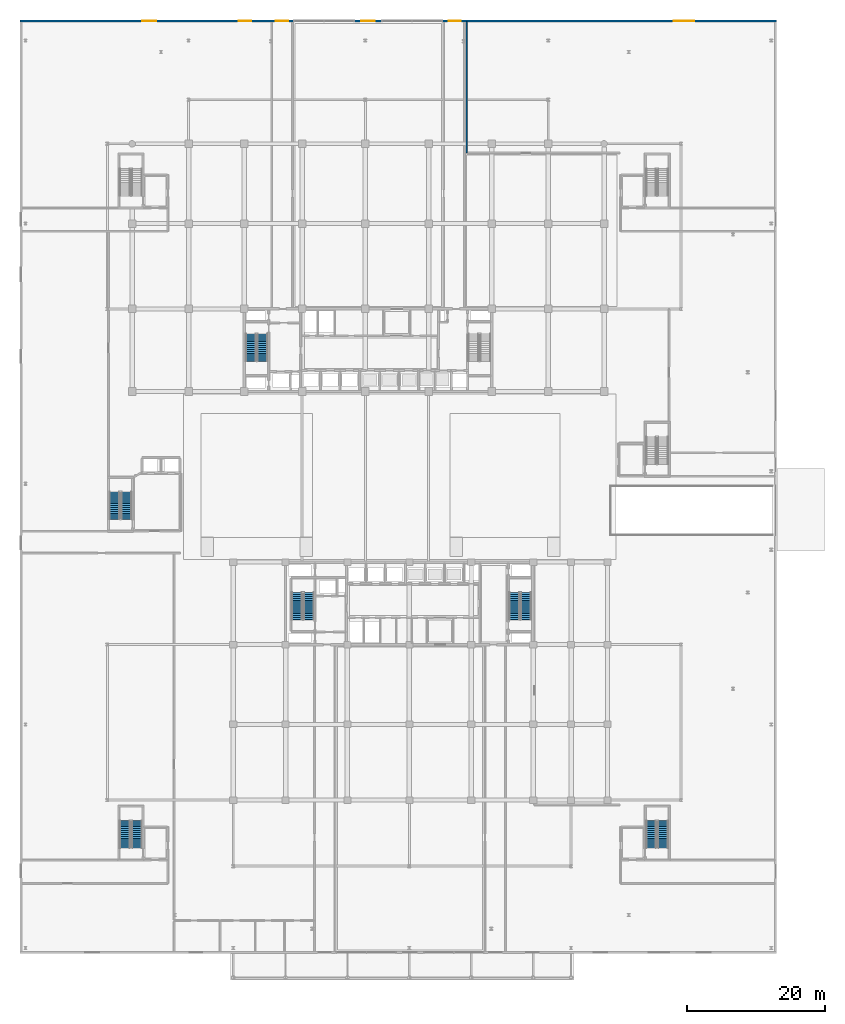
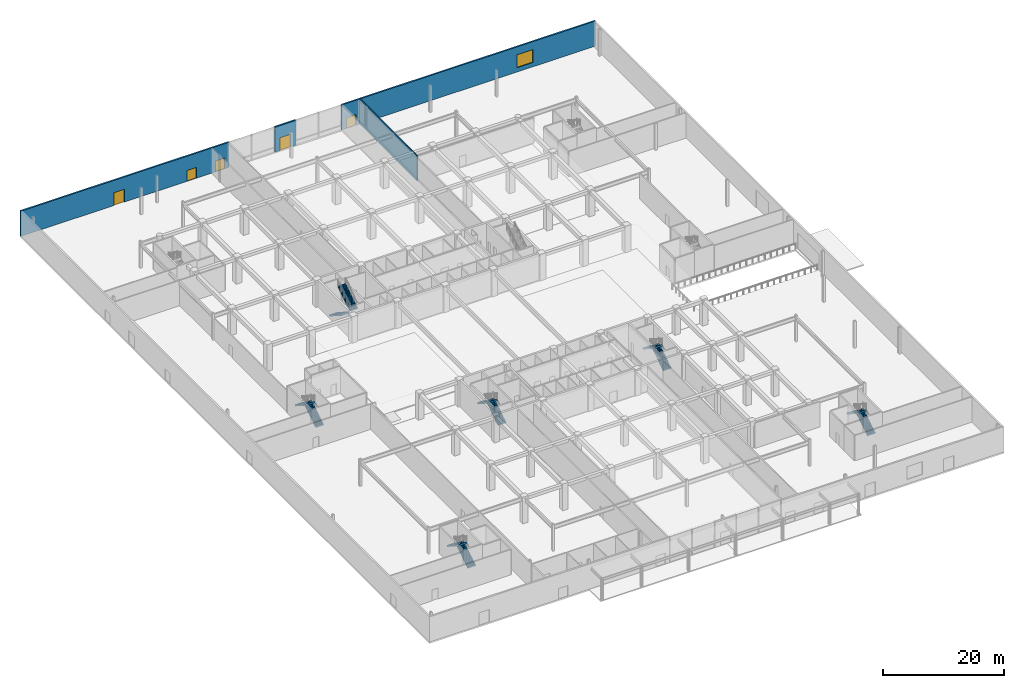
# One storey, part 31 of 46: 12 stair flights, 5 doors, 4 walls, 1 window, 6 openings, 6 elements without a shape of their own.
"""IFC4 building model written with IfcOpenShell, lengths in metres."""

import ifcopenshell
import ifcopenshell.guid

model = None  # the IFC model being written
_history = None  # IfcOwnerHistory: only IFC2X3 demands one
_inside = {}  # id of a spatial element -> (the spatial element, [elements in it])
_under = {}  # id of a project, library or spatial element -> (it, [spatial elements below it])
_declared = {}  # id of a project -> (the project, [libraries it declares])
_typed = {}  # id of a type object -> (the type object, [elements of that type])
_made_of = {}  # id of a material, layer set ... -> (it, [elements and type objects made of it])


def new_model(schema):
    """Start an empty IFC model of exactly this schema.

    Asked for "IFC4X3", IfcOpenShell would pick the latest addendum, in which some entities
    have other attributes; the version numbers below select the first issue.
    IFC2X3 requires an IfcOwnerHistory on every rooted entity: one is made here for all.
    """
    global model, _history
    if schema == "IFC4X3":
        model = ifcopenshell.file(schema_version=(4, 3, 0, 0))
    else:
        model = ifcopenshell.file(schema=schema)
    _inside.clear()
    _under.clear()
    _declared.clear()
    _typed.clear()
    _made_of.clear()
    _history = None
    if model.schema == "IFC2X3":
        org = make("IfcOrganization", Name="unknown")
        user = make(
            "IfcPersonAndOrganization",
            ThePerson=make("IfcPerson", FamilyName="unknown"),
            TheOrganization=org,
        )
        app = make(
            "IfcApplication",
            ApplicationDeveloper=org,
            Version="unknown",
            ApplicationFullName="unknown",
            ApplicationIdentifier="unknown",
        )
        _history = make(
            "IfcOwnerHistory",
            OwningUser=user,
            OwningApplication=app,
            ChangeAction="ADDED",
            CreationDate=0,
        )
    return model


def make(cls, **values):
    """One entity of the class cls with the attributes given. An attribute that is None is left unset."""
    return model.create_entity(
        cls, **{name: value for name, value in values.items() if value is not None}
    )


def rooted(cls, **values):
    """An entity with a GlobalId (a new one), such as an element, a storey or a relation."""
    return make(cls, GlobalId=ifcopenshell.guid.new(), OwnerHistory=_history, **values)


def si_unit(unit_type, name, prefix=None):
    """IfcSIUnit, for example si_unit("LENGTHUNIT", "METRE", prefix="MILLI")."""
    return make("IfcSIUnit", UnitType=unit_type, Prefix=prefix, Name=name)


def assignment(units):
    """IfcUnitAssignment: the units of a project."""
    return None if units is None else make("IfcUnitAssignment", Units=units)


def point(xyz):
    """IfcCartesianPoint."""
    return None if xyz is None else make("IfcCartesianPoint", Coordinates=xyz)


def direction(xyz):
    """IfcDirection."""
    return None if xyz is None else make("IfcDirection", DirectionRatios=xyz)


def frame(location, z_axis=None, x_axis=None):
    """IfcAxis2Placement3D, a coordinate frame: its origin and axes. An axis left out is left unset."""
    return make(
        "IfcAxis2Placement3D",
        Location=point(location),
        Axis=direction(z_axis),
        RefDirection=direction(x_axis),
    )


def frame_2d(location, x_axis=None):
    """IfcAxis2Placement2D, a coordinate frame in the plane: its origin and x axis."""
    return make(
        "IfcAxis2Placement2D", Location=point(location), RefDirection=direction(x_axis)
    )


def origin():
    """The frame at (0, 0, 0) with its axes left unset."""
    return frame((0.0, 0.0, 0.0))


def place(relative_to, where):
    """IfcLocalPlacement: puts the frame where relative to a parent placement (None: the world)."""
    return make(
        "IfcLocalPlacement", PlacementRelTo=relative_to, RelativePlacement=where
    )


def context(
    kind, dimensions, precision=None, world=None, true_north=None, identifier=None
):
    """IfcGeometricRepresentationContext, for example the 3D "Model" context."""
    return make(
        "IfcGeometricRepresentationContext",
        ContextIdentifier=identifier,
        ContextType=kind,
        CoordinateSpaceDimension=dimensions,
        Precision=precision,
        WorldCoordinateSystem=world,
        TrueNorth=true_north,
    )


def subcontext(parent, identifier, kind, view, scale=None):
    """IfcGeometricRepresentationSubContext, for example "Body" below "Model"."""
    return make(
        "IfcGeometricRepresentationSubContext",
        ContextIdentifier=identifier,
        ContextType=kind,
        ParentContext=parent,
        TargetScale=scale,
        TargetView=view,
    )


def project(units=None, contexts=None):
    """IfcProject with its units and contexts."""
    return rooted(
        "IfcProject",
        Name="project",
        RepresentationContexts=contexts,
        UnitsInContext=assignment(units),
    )


def spatial(cls, under=None, at=None, **own):
    """A site, building, storey or space (cls), placed at a placement, below another one or the project."""
    s = rooted(cls, ObjectPlacement=at, **own)
    if under is not None:
        _under.setdefault(under.id(), (under, []))[1].append(s)
    return s


def polyline(points):
    """IfcPolyline through the points."""
    return make("IfcPolyline", Points=[point(p) for p in points])


def profile(cls, at=None, kind="AREA", **sizes):
    """A parametric profile (cls). Its sizes go by their IFC names, for example OverallWidth=200.0."""
    return make(cls, ProfileType=kind, Position=at, **sizes)


def rectangle(**sizes):
    """IfcRectangleProfileDef."""
    return profile("IfcRectangleProfileDef", **sizes)


def outline(outer, holes=None, kind="AREA"):
    """IfcArbitraryClosedProfileDef: a profile drawn as a closed curve; with holes, ...WithVoids."""
    if holes is None:
        return make("IfcArbitraryClosedProfileDef", ProfileType=kind, OuterCurve=outer)
    return make(
        "IfcArbitraryProfileDefWithVoids",
        ProfileType=kind,
        OuterCurve=outer,
        InnerCurves=holes,
    )


def extrude(swept, where, along, depth):
    """IfcExtrudedAreaSolid: the profile swept, set in the frame where, extruded along a direction by depth."""
    return make(
        "IfcExtrudedAreaSolid",
        SweptArea=swept,
        Position=where,
        ExtrudedDirection=direction(along),
        Depth=depth,
    )


def shape(context_of_items, identifier, shape_type, items):
    """IfcShapeRepresentation: the items that make up one representation, for example the "Body"."""
    return make(
        "IfcShapeRepresentation",
        ContextOfItems=context_of_items,
        RepresentationIdentifier=identifier,
        RepresentationType=shape_type,
        Items=items,
    )


def material(Name=None, Category=None):
    """IfcMaterial."""
    return make("IfcMaterial", Name=Name, Category=Category)


def layer(
    of_material, thickness, ventilated=None, Name=None, Category=None, Priority=None
):
    """IfcMaterialLayer: one layer of a wall or slab, of a material (None: an air gap)."""
    return make(
        "IfcMaterialLayer",
        Material=of_material,
        LayerThickness=thickness,
        IsVentilated=ventilated,
        Name=Name,
        Category=Category,
        Priority=Priority,
    )


def layer_set(layers, Name=None):
    """IfcMaterialLayerSet."""
    return make("IfcMaterialLayerSet", MaterialLayers=layers, LayerSetName=Name)


def made_of(thing, what):
    """Note that an element or type object is made of a material, layer set ...; save() writes the relation."""
    if what is not None:
        _made_of.setdefault(what.id(), (what, []))[1].append(thing)
    return thing


def type_object(cls, material=None, **own):
    """A type object (cls), such as IfcWallType, which elements share."""
    return made_of(rooted(cls, **own), material)


def element(
    cls,
    number,
    at=None,
    inside=None,
    cuts=None,
    type_object=None,
    material=None,
    context=None,
    identifier="Body",
    shape_type=None,
    held_by="IfcProductDefinitionShape",
    body=None,
    shapes=None,
    **own,
):
    """One element of the class cls, such as IfcWall. Its Tag is "e" and its number.

    at: its placement. inside: the storey or other place that contains it. cuts: it is an
    opening in that element (IfcRelVoidsElement). A single representation is given by context,
    identifier, shape_type and body (its items); several are given by shapes. held_by: the class
    of the entity that holds the representations. save() writes the other relations.
    """
    e = rooted(cls, Tag="e%d" % number, ObjectPlacement=at, **own)
    if body is not None:
        shapes = [shape(context, identifier, shape_type, body)]
    if shapes is not None:
        e.Representation = make(held_by, Representations=shapes)
    if inside is not None:
        _inside.setdefault(inside.id(), (inside, []))[1].append(e)
    if cuts is not None:
        rooted(
            "IfcRelVoidsElement", RelatingBuildingElement=cuts, RelatedOpeningElement=e
        )
    if type_object is not None:
        _typed.setdefault(type_object.id(), (type_object, []))[1].append(e)
    return made_of(e, material)


def fill(opening, filler):
    """IfcRelFillsElement: the door or window that sits in an opening."""
    return rooted(
        "IfcRelFillsElement",
        RelatingOpeningElement=opening,
        RelatedBuildingElement=filler,
    )


def aggregate(whole, parts):
    """IfcRelAggregates: a whole, such as a stair, and the parts it consists of."""
    return rooted("IfcRelAggregates", RelatingObject=whole, RelatedObjects=parts)


def save(model, path):
    """Write the relations noted so far, then the file.

    IfcRelAggregates (storeys below a building ...), IfcRelContainedInSpatialStructure (elements
    in a storey), IfcRelDefinesByType, IfcRelAssociatesMaterial and IfcRelDeclares: one each for
    every whole, place, type object, material and project.
    """
    for whole, parts in _under.values():
        aggregate(whole, parts)
    for where, things in _inside.values():
        rooted(
            "IfcRelContainedInSpatialStructure",
            RelatedElements=things,
            RelatingStructure=where,
        )
    for kind, things in _typed.values():
        rooted("IfcRelDefinesByType", RelatedObjects=things, RelatingType=kind)
    for what, things in _made_of.values():
        rooted("IfcRelAssociatesMaterial", RelatedObjects=things, RelatingMaterial=what)
    for by, libraries in _declared.values():
        rooted("IfcRelDeclares", RelatingContext=by, RelatedDefinitions=libraries)
    model.write(path)


model = new_model("IFC4")

# Units and contexts
model_context = context("Model", 3, precision=1e-05, world=origin(), true_north=direction((0.0, 1.0)))
body_context = subcontext(model_context, "Body", "Model", "MODEL_VIEW")
ifc_project = project(units=[si_unit("LENGTHUNIT", "METRE"), si_unit("AREAUNIT", "SQUARE_METRE"), si_unit("VOLUMEUNIT", "CUBIC_METRE"), si_unit("PLANEANGLEUNIT", "RADIAN"), si_unit("MASSUNIT", "GRAM", prefix="KILO")], contexts=[model_context])

# Site, building, storey
site_placement = place(None, origin())
site = spatial("IfcSite", under=ifc_project, at=site_placement, CompositionType="ELEMENT")
building_placement = place(site_placement, origin())
building = spatial("IfcBuilding", under=site, at=building_placement, Name="Korimba Cascade Residences", CompositionType="ELEMENT")
storey_placement = place(building_placement, origin())
storey = spatial("IfcBuildingStorey", under=building, at=storey_placement, Name="L00", CompositionType="ELEMENT", Elevation=0.0)

# Wall, openings, door, window
ifc_material_1 = material(Name="Precast concrete C40/50", Category="concrete")
ifc_layer_1 = layer(ifc_material_1, 0.300048828125)
ifc_layer_set_1 = layer_set([ifc_layer_1], Name="Precast concrete C40/50")
wall_type_1 = type_object("IfcWallType", Name="EW-STONE-300", PredefinedType="STANDARD", material=ifc_layer_set_1)
wall_1_placement = place(storey_placement, frame((153.5, 109.050048828125, 0.0), z_axis=(0.0, 0.0, 1.0), x_axis=(-1.0, 0.0, 0.0)))
wall_1 = element("IfcWall", 1, at=wall_1_placement, inside=storey, type_object=wall_type_1, Name="L00 North-East Stone Podium Wall", PredefinedType="STANDARD", context=body_context, shape_type="SweptSolid", body=[
    extrude(rectangle(XDim=48.60009765625, YDim=0.300048828125, at=frame_2d((24.300048828125, 0.0))), origin(), (0.0, 0.0, 1.0), 5.10009765625),
])
opening_1_placement = place(wall_1_placement, frame((45.89990234375, 0.0, 0.0)))
opening_1 = element("IfcOpeningElement", 2, at=opening_1_placement, cuts=wall_1, Name="Opening D-EX2", PredefinedType="OPENING", context=body_context, shape_type="SweptSolid", body=[
    extrude(rectangle(XDim=1.800048828125, YDim=2.199951171875, at=frame_2d((0.89990234375, 1.10009765625))), frame((0.0, 0.16015625, 0.0), z_axis=(0.0, -1.0, 0.0), x_axis=(1.0, 0.0, 0.0)), (0.0, 0.0, 1.0), 0.320068359375),
])
opening_2_placement = place(wall_1_placement, frame((12.0, 0.0, 0.89990234375)))
opening_2 = element("IfcOpeningElement", 3, at=opening_2_placement, cuts=wall_1, Name="Opening W-04", PredefinedType="OPENING", context=body_context, shape_type="SweptSolid", body=[
    extrude(rectangle(XDim=3.0, YDim=2.60009765625, at=frame_2d((1.5, 1.300048828125))), frame((0.0, 0.16015625, 0.0), z_axis=(0.0, -1.0, 0.0), x_axis=(1.0, 0.0, 0.0)), (0.0, 0.0, 1.0), 0.320068359375),
])
ifc_material_2 = material(Name="Galvanised Steel Fire Exit Door", Category="steel")
door_type_1 = type_object("IfcDoorType", Name="DR-EXT-EXIT", OperationType="NOTDEFINED", PredefinedType="DOOR", material=ifc_material_2)
door_1_placement = place(opening_1_placement, frame((1.800048828125, 0.0, 0.0), z_axis=(0.0, 0.0, 1.0), x_axis=(-1.0, 0.0, 0.0)))
door_1 = element("IfcDoor", 4, at=door_1_placement, inside=storey, type_object=door_type_1, Name="L00 Street Fire Exit Door EX-04", OperationType="DOUBLE_DOOR_SINGLE_SWING", OverallHeight=2.199951171875, OverallWidth=1.800048828125, PredefinedType="DOOR", context=body_context, shape_type="SweptSolid", body=[
    extrude(rectangle(XDim=1.800048828125, YDim=2.199951171875, at=frame_2d((0.89990234375, 1.10009765625))), frame((0.0, 0.02490234375, 0.0), z_axis=(0.0, -1.0, 0.0), x_axis=(1.0, 0.0, 0.0)), (0.0, 0.0, 1.0), 0.050048828125),
])
fill(opening_1, door_1)
ifc_material_3 = material(Name="Double-Glazed Aluminium Window", Category="aluminium")
window_type = type_object("IfcWindowType", Name="WIN-POD-3000", PartitioningType="TRIPLE_PANEL_VERTICAL", PredefinedType="WINDOW", material=ifc_material_3)
window_placement = place(opening_2_placement, origin())
window = element("IfcWindow", 5, at=window_placement, inside=storey, type_object=window_type, Name="L00 Gallery Window", OverallHeight=2.60009765625, OverallWidth=3.0, PartitioningType="TRIPLE_PANEL_VERTICAL", PredefinedType="WINDOW", context=body_context, shape_type="SweptSolid", body=[
    extrude(rectangle(XDim=3.0, YDim=2.60009765625, at=frame_2d((1.5, 1.300048828125))), frame((0.0, 0.030029296875, 0.0), z_axis=(0.0, -1.0, 0.0), x_axis=(1.0, 0.0, 0.0)), (0.0, 0.0, 1.0), 0.06005859375),
])
fill(opening_2, window)

# Wall, opening, door
wall_2_placement = place(storey_placement, frame((96.10009765625, 109.050048828125, 0.0), z_axis=(0.0, 0.0, 1.0), x_axis=(-1.0, 0.0, 0.0)))
wall_2 = element("IfcWall", 6, at=wall_2_placement, inside=storey, type_object=wall_type_1, Name="L00 North Portal Entrance Wall", PredefinedType="STANDARD", context=body_context, shape_type="SweptSolid", body=[
    extrude(rectangle(XDim=4.0, YDim=0.300048828125, at=frame_2d((2.0, 0.0))), origin(), (0.0, 0.0, 1.0), 5.10009765625),
])
opening_3_placement = place(wall_2_placement, frame((1.0, 0.0, 0.0)))
opening_3 = element("IfcOpeningElement", 7, at=opening_3_placement, cuts=wall_2, Name="Opening D-EX1", PredefinedType="OPENING", context=body_context, shape_type="SweptSolid", body=[
    extrude(rectangle(XDim=2.0, YDim=2.60009765625, at=frame_2d((1.0, 1.300048828125))), frame((0.0, 0.16015625, 0.0), z_axis=(0.0, -1.0, 0.0), x_axis=(1.0, 0.0, 0.0)), (0.0, 0.0, 1.0), 0.320068359375),
])
ifc_material_4 = material(Name="Double-Glazed Entrance Doors", Category="glass")
door_type_2 = type_object("IfcDoorType", Name="DR-EXT-ENT", OperationType="NOTDEFINED", PredefinedType="DOOR", material=ifc_material_4)
door_2_placement = place(opening_3_placement, frame((2.0, 0.0, 0.0), z_axis=(0.0, 0.0, 1.0), x_axis=(-1.0, 0.0, 0.0)))
door_2 = element("IfcDoor", 8, at=door_2_placement, inside=storey, type_object=door_type_2, Name="L00 Main North Riverfront Entrance Door", OperationType="DOUBLE_DOOR_SINGLE_SWING", OverallHeight=2.60009765625, OverallWidth=2.0, PredefinedType="DOOR", context=body_context, shape_type="SweptSolid", body=[
    extrude(rectangle(XDim=2.0, YDim=2.60009765625, at=frame_2d((1.0, 1.300048828125))), frame((0.0, 0.02490234375, 0.0), z_axis=(0.0, -1.0, 0.0), x_axis=(1.0, 0.0, 0.0)), (0.0, 0.0, 1.0), 0.050048828125),
])
fill(opening_3, door_2)

# Wall, openings, doors
wall_3_placement = place(storey_placement, frame((83.300048828125, 109.050048828125, 0.0), z_axis=(0.0, 0.0, 1.0), x_axis=(-1.0, 0.0, 0.0)))
wall_3 = element("IfcWall", 9, at=wall_3_placement, inside=storey, type_object=wall_type_1, Name="L00 North-West Stone Podium Wall", PredefinedType="STANDARD", context=body_context, shape_type="SweptSolid", body=[
    extrude(rectangle(XDim=39.800048828125, YDim=0.300048828125, at=frame_2d((19.89990234375, 0.0))), origin(), (0.0, 0.0, 1.0), 5.10009765625),
])
opening_4_placement = place(wall_3_placement, frame((0.800048828125, 0.0, 0.0)))
opening_4 = element("IfcOpeningElement", 10, at=opening_4_placement, cuts=wall_3, Name="Opening D-EX2", PredefinedType="OPENING", context=body_context, shape_type="SweptSolid", body=[
    extrude(rectangle(XDim=1.800048828125, YDim=2.199951171875, at=frame_2d((0.89990234375, 1.10009765625))), frame((0.0, 0.16015625, 0.0), z_axis=(0.0, -1.0, 0.0), x_axis=(1.0, 0.0, 0.0)), (0.0, 0.0, 1.0), 0.320068359375),
])
opening_5_placement = place(wall_3_placement, frame((6.199951171875, 0.0, 0.0)))
opening_5 = element("IfcOpeningElement", 11, at=opening_5_placement, cuts=wall_3, Name="Opening D-EX2", PredefinedType="OPENING", context=body_context, shape_type="SweptSolid", body=[
    extrude(rectangle(XDim=1.800048828125, YDim=2.199951171875, at=frame_2d((0.89990234375, 1.10009765625))), frame((0.0, 0.16015625, 0.0), z_axis=(0.0, -1.0, 0.0), x_axis=(1.0, 0.0, 0.0)), (0.0, 0.0, 1.0), 0.320068359375),
])
opening_6_placement = place(wall_3_placement, frame((20.0, 0.0, 0.0)))
opening_6 = element("IfcOpeningElement", 12, at=opening_6_placement, cuts=wall_3, Name="Opening D-EX1", PredefinedType="OPENING", context=body_context, shape_type="SweptSolid", body=[
    extrude(rectangle(XDim=2.0, YDim=2.60009765625, at=frame_2d((1.0, 1.300048828125))), frame((0.0, 0.16015625, 0.0), z_axis=(0.0, -1.0, 0.0), x_axis=(1.0, 0.0, 0.0)), (0.0, 0.0, 1.0), 0.320068359375),
])
door_3_placement = place(opening_6_placement, frame((2.0, 0.0, 0.0), z_axis=(0.0, 0.0, 1.0), x_axis=(-1.0, 0.0, 0.0)))
door_3 = element("IfcDoor", 13, at=door_3_placement, inside=storey, type_object=door_type_2, Name="L00 North-West Riverfront Entrance Door", OperationType="DOUBLE_DOOR_SINGLE_SWING", OverallHeight=2.60009765625, OverallWidth=2.0, PredefinedType="DOOR", context=body_context, shape_type="SweptSolid", body=[
    extrude(rectangle(XDim=2.0, YDim=2.60009765625, at=frame_2d((1.0, 1.300048828125))), frame((0.0, 0.02490234375, 0.0), z_axis=(0.0, -1.0, 0.0), x_axis=(1.0, 0.0, 0.0)), (0.0, 0.0, 1.0), 0.050048828125),
])
fill(opening_6, door_3)
door_4_placement = place(opening_4_placement, frame((1.800048828125, 0.0, 0.0), z_axis=(0.0, 0.0, 1.0), x_axis=(-1.0, 0.0, 0.0)))
door_4 = element("IfcDoor", 14, at=door_4_placement, inside=storey, type_object=door_type_1, Name="L00 Street Fire Exit Door EX-03", OperationType="DOUBLE_DOOR_SINGLE_SWING", OverallHeight=2.199951171875, OverallWidth=1.800048828125, PredefinedType="DOOR", context=body_context, shape_type="SweptSolid", body=[
    extrude(rectangle(XDim=1.800048828125, YDim=2.199951171875, at=frame_2d((0.89990234375, 1.10009765625))), frame((0.0, 0.02490234375, 0.0), z_axis=(0.0, -1.0, 0.0), x_axis=(1.0, 0.0, 0.0)), (0.0, 0.0, 1.0), 0.050048828125),
])
fill(opening_4, door_4)
door_5_placement = place(opening_5_placement, frame((1.800048828125, 0.0, 0.0), z_axis=(0.0, 0.0, 1.0), x_axis=(-1.0, 0.0, 0.0)))
door_5 = element("IfcDoor", 15, at=door_5_placement, inside=storey, type_object=door_type_1, Name="L00 Street Fire Exit Door EX-08", OperationType="DOUBLE_DOOR_SINGLE_SWING", OverallHeight=2.199951171875, OverallWidth=1.800048828125, PredefinedType="DOOR", context=body_context, shape_type="SweptSolid", body=[
    extrude(rectangle(XDim=1.800048828125, YDim=2.199951171875, at=frame_2d((0.89990234375, 1.10009765625))), frame((0.0, 0.02490234375, 0.0), z_axis=(0.0, -1.0, 0.0), x_axis=(1.0, 0.0, 0.0)), (0.0, 0.0, 1.0), 0.050048828125),
])
fill(opening_5, door_5)

# Wall
ifc_material_5 = material(Name="Concrete C40/50", Category="concrete")
ifc_layer_2 = layer(ifc_material_5, 0.199951171875)
ifc_layer_set_2 = layer_set([ifc_layer_2], Name="Concrete C40/50")
wall_type_2 = type_object("IfcWallType", Name="WAL-PART-200", PredefinedType="PARTITIONING", material=ifc_layer_set_2)
wall_4_placement = place(storey_placement, frame((108.449951171875, 89.8798828125, 0.0), z_axis=(0.0, 0.0, 1.0), x_axis=(0.0, 1.0, 0.0)))
element("IfcWall", 16, at=wall_4_placement, inside=storey, type_object=wall_type_2, Name="L00 Partition Wall WAL-L00-GALW", PredefinedType="PARTITIONING", context=body_context, shape_type="SweptSolid", body=[
    extrude(rectangle(XDim=19.070068359375, YDim=0.199951171875, at=frame_2d((9.53515625, 0.0))), origin(), (0.0, 0.0, 1.0), 5.10009765625),
])

# Stair, stair flights
ifc_material_6 = material(Name="Concrete C50/60", Category="concrete")
stair_type_1 = type_object("IfcStairType", Name="STR-W1-30R-1800", PredefinedType="HALF_TURN_STAIR", material=ifc_material_6)
stair_1_placement = place(storey_placement, origin())
stair_1 = element("IfcStair", 17, at=stair_1_placement, inside=storey, type_object=stair_type_1, Name="L00 Tower 1 West Fire Stair ST-W1", PredefinedType="HALF_TURN_STAIR")
stair_flight_type = type_object("IfcStairFlightType", Name="STF-DL-30R-1800-1520", PredefinedType="STRAIGHT", material=ifc_material_6)
stair_flight_1_placement = place(storey_placement, frame((77.06005859375, 63.550048828125, 0.0), z_axis=(0.0, 0.0, 1.0), x_axis=(0.0, -1.0, 0.0)))
stair_flight_1 = element("IfcStairFlight", 18, at=stair_flight_1_placement, type_object=stair_flight_type, Name="ST-W1 flight 1", NumberOfRisers=15, NumberOfTreads=14, PredefinedType="STRAIGHT", RiserHeight=0.18, TreadLength=0.28, context=body_context, shape_type="SweptSolid", body=[
    extrude(outline(polyline([(-0.0380859375, 0.0), (0.0, 0.179931640625), (0.280029296875, 0.179931640625), (0.280029296875, 0.360107421875), (0.56005859375, 0.360107421875), (0.56005859375, 0.5400390625), (0.840087890625, 0.5400390625), (0.840087890625, 0.719970703125), (1.1201171875, 0.719970703125), (1.1201171875, 0.89990234375), (1.39990234375, 0.89990234375), (1.39990234375, 1.080078125), (1.679931640625, 1.080078125), (1.679931640625, 1.260009765625), (1.9599609375, 1.260009765625), (1.9599609375, 1.43994140625), (2.239990234375, 1.43994140625), (2.239990234375, 1.6201171875), (2.52001953125, 1.6201171875), (2.52001953125, 1.800048828125), (2.800048828125, 1.800048828125), (2.800048828125, 1.97998046875), (3.080078125, 1.97998046875), (3.080078125, 2.159912109375), (3.360107421875, 2.159912109375), (3.360107421875, 2.340087890625), (3.639892578125, 2.340087890625), (3.639892578125, 2.52001953125), (3.919921875, 2.52001953125), (3.919921875, 2.699951171875), (3.9580078125, 2.699951171875), (3.9580078125, 2.341796875), (0.277099609375, 0.0), (0.277099609375, -0.0380859375), (-0.0380859375, -0.0380859375), (-0.0380859375, 0.0)])), frame((0.0, 0.760009765625, 0.0), z_axis=(0.0, -1.0, 0.0), x_axis=(1.0, 0.0, 0.0)), (0.0, 0.0, 1.0), 1.52001953125),
])
stair_flight_2_placement = place(storey_placement, frame((78.780029296875, 59.6298828125, 2.699951171875), z_axis=(0.0, 0.0, 1.0), x_axis=(0.0, 1.0, 0.0)))
stair_flight_2 = element("IfcStairFlight", 19, at=stair_flight_2_placement, type_object=stair_flight_type, Name="ST-W1 flight 2", NumberOfRisers=15, NumberOfTreads=14, PredefinedType="STRAIGHT", RiserHeight=0.18, TreadLength=0.28, context=body_context, shape_type="SweptSolid", body=[
    extrude(outline(polyline([(-0.0380859375, 0.0), (0.0, 0.179931640625), (0.280029296875, 0.179931640625), (0.280029296875, 0.360107421875), (0.56005859375, 0.360107421875), (0.56005859375, 0.5400390625), (0.840087890625, 0.5400390625), (0.840087890625, 0.719970703125), (1.1201171875, 0.719970703125), (1.1201171875, 0.89990234375), (1.39990234375, 0.89990234375), (1.39990234375, 1.080078125), (1.679931640625, 1.080078125), (1.679931640625, 1.260009765625), (1.9599609375, 1.260009765625), (1.9599609375, 1.43994140625), (2.239990234375, 1.43994140625), (2.239990234375, 1.6201171875), (2.52001953125, 1.6201171875), (2.52001953125, 1.800048828125), (2.800048828125, 1.800048828125), (2.800048828125, 1.97998046875), (3.080078125, 1.97998046875), (3.080078125, 2.159912109375), (3.360107421875, 2.159912109375), (3.360107421875, 2.340087890625), (3.639892578125, 2.340087890625), (3.639892578125, 2.52001953125), (3.919921875, 2.52001953125), (3.919921875, 2.699951171875), (3.9580078125, 2.699951171875), (3.9580078125, 2.341796875), (0.277099609375, 0.0), (0.277099609375, -0.0380859375), (-0.0380859375, -0.0380859375), (-0.0380859375, 0.0)])), frame((0.0, 0.760009765625, 0.0), z_axis=(0.0, -1.0, 0.0), x_axis=(1.0, 0.0, 0.0)), (0.0, 0.0, 1.0), 1.52001953125),
])
aggregate(stair_1, [stair_flight_1, stair_flight_2])

stair_type_2 = type_object("IfcStairType", Name="STR-E1-30R-1800", PredefinedType="HALF_TURN_STAIR", material=ifc_material_6)
stair_2_placement = place(storey_placement, origin())
stair_2 = element("IfcStair", 20, at=stair_2_placement, inside=storey, type_object=stair_type_2, Name="L00 Tower 2 West Fire Stair ST-E1", PredefinedType="HALF_TURN_STAIR")
stair_flight_3_placement = place(storey_placement, frame((85.47998046875, 22.050048828125, 0.0), z_axis=(0.0, 0.0, 1.0), x_axis=(0.0, 1.0, 0.0)))
stair_flight_3 = element("IfcStairFlight", 21, at=stair_flight_3_placement, type_object=stair_flight_type, Name="ST-E1 flight 1", NumberOfRisers=15, NumberOfTreads=14, PredefinedType="STRAIGHT", RiserHeight=0.18, TreadLength=0.28, context=body_context, shape_type="SweptSolid", body=[
    extrude(outline(polyline([(-0.0380859375, 0.0), (0.0, 0.179931640625), (0.280029296875, 0.179931640625), (0.280029296875, 0.360107421875), (0.56005859375, 0.360107421875), (0.56005859375, 0.5400390625), (0.840087890625, 0.5400390625), (0.840087890625, 0.719970703125), (1.1201171875, 0.719970703125), (1.1201171875, 0.89990234375), (1.39990234375, 0.89990234375), (1.39990234375, 1.080078125), (1.679931640625, 1.080078125), (1.679931640625, 1.260009765625), (1.9599609375, 1.260009765625), (1.9599609375, 1.43994140625), (2.239990234375, 1.43994140625), (2.239990234375, 1.6201171875), (2.52001953125, 1.6201171875), (2.52001953125, 1.800048828125), (2.800048828125, 1.800048828125), (2.800048828125, 1.97998046875), (3.080078125, 1.97998046875), (3.080078125, 2.159912109375), (3.360107421875, 2.159912109375), (3.360107421875, 2.340087890625), (3.639892578125, 2.340087890625), (3.639892578125, 2.52001953125), (3.919921875, 2.52001953125), (3.919921875, 2.699951171875), (3.9580078125, 2.699951171875), (3.9580078125, 2.341796875), (0.277099609375, 0.0), (0.277099609375, -0.0380859375), (-0.0380859375, -0.0380859375), (-0.0380859375, 0.0)])), frame((0.0, 0.760009765625, 0.0), z_axis=(0.0, -1.0, 0.0), x_axis=(1.0, 0.0, 0.0)), (0.0, 0.0, 1.0), 1.52001953125),
])
stair_flight_4_placement = place(storey_placement, frame((83.760009765625, 25.969970703125, 2.699951171875), z_axis=(0.0, 0.0, 1.0), x_axis=(0.0, -1.0, 0.0)))
stair_flight_4 = element("IfcStairFlight", 22, at=stair_flight_4_placement, type_object=stair_flight_type, Name="ST-E1 flight 2", NumberOfRisers=15, NumberOfTreads=14, PredefinedType="STRAIGHT", RiserHeight=0.18, TreadLength=0.28, context=body_context, shape_type="SweptSolid", body=[
    extrude(outline(polyline([(-0.0380859375, 0.0), (0.0, 0.179931640625), (0.280029296875, 0.179931640625), (0.280029296875, 0.360107421875), (0.56005859375, 0.360107421875), (0.56005859375, 0.5400390625), (0.840087890625, 0.5400390625), (0.840087890625, 0.719970703125), (1.1201171875, 0.719970703125), (1.1201171875, 0.89990234375), (1.39990234375, 0.89990234375), (1.39990234375, 1.080078125), (1.679931640625, 1.080078125), (1.679931640625, 1.260009765625), (1.9599609375, 1.260009765625), (1.9599609375, 1.43994140625), (2.239990234375, 1.43994140625), (2.239990234375, 1.6201171875), (2.52001953125, 1.6201171875), (2.52001953125, 1.800048828125), (2.800048828125, 1.800048828125), (2.800048828125, 1.97998046875), (3.080078125, 1.97998046875), (3.080078125, 2.159912109375), (3.360107421875, 2.159912109375), (3.360107421875, 2.340087890625), (3.639892578125, 2.340087890625), (3.639892578125, 2.52001953125), (3.919921875, 2.52001953125), (3.919921875, 2.699951171875), (3.9580078125, 2.699951171875), (3.9580078125, 2.341796875), (0.277099609375, 0.0), (0.277099609375, -0.0380859375), (-0.0380859375, -0.0380859375), (-0.0380859375, 0.0)])), frame((0.0, 0.760009765625, 0.0), z_axis=(0.0, -1.0, 0.0), x_axis=(1.0, 0.0, 0.0)), (0.0, 0.0, 1.0), 1.52001953125),
])
aggregate(stair_2, [stair_flight_3, stair_flight_4])

stair_type_3 = type_object("IfcStairType", Name="STR-E2-30R-1800", PredefinedType="HALF_TURN_STAIR", material=ifc_material_6)
stair_3_placement = place(storey_placement, origin())
stair_3 = element("IfcStair", 23, at=stair_3_placement, inside=storey, type_object=stair_type_3, Name="L00 Tower 2 East Fire Stair ST-E2", PredefinedType="HALF_TURN_STAIR")
stair_flight_5_placement = place(storey_placement, frame((117.080078125, 22.050048828125, 0.0), z_axis=(0.0, 0.0, 1.0), x_axis=(0.0, 1.0, 0.0)))
stair_flight_5 = element("IfcStairFlight", 24, at=stair_flight_5_placement, type_object=stair_flight_type, Name="ST-E2 flight 1", NumberOfRisers=15, NumberOfTreads=14, PredefinedType="STRAIGHT", RiserHeight=0.18, TreadLength=0.28, context=body_context, shape_type="SweptSolid", body=[
    extrude(outline(polyline([(-0.0380859375, 0.0), (0.0, 0.179931640625), (0.280029296875, 0.179931640625), (0.280029296875, 0.360107421875), (0.56005859375, 0.360107421875), (0.56005859375, 0.5400390625), (0.840087890625, 0.5400390625), (0.840087890625, 0.719970703125), (1.1201171875, 0.719970703125), (1.1201171875, 0.89990234375), (1.39990234375, 0.89990234375), (1.39990234375, 1.080078125), (1.679931640625, 1.080078125), (1.679931640625, 1.260009765625), (1.9599609375, 1.260009765625), (1.9599609375, 1.43994140625), (2.239990234375, 1.43994140625), (2.239990234375, 1.6201171875), (2.52001953125, 1.6201171875), (2.52001953125, 1.800048828125), (2.800048828125, 1.800048828125), (2.800048828125, 1.97998046875), (3.080078125, 1.97998046875), (3.080078125, 2.159912109375), (3.360107421875, 2.159912109375), (3.360107421875, 2.340087890625), (3.639892578125, 2.340087890625), (3.639892578125, 2.52001953125), (3.919921875, 2.52001953125), (3.919921875, 2.699951171875), (3.9580078125, 2.699951171875), (3.9580078125, 2.341796875), (0.277099609375, 0.0), (0.277099609375, -0.0380859375), (-0.0380859375, -0.0380859375), (-0.0380859375, 0.0)])), frame((0.0, 0.760009765625, 0.0), z_axis=(0.0, -1.0, 0.0), x_axis=(1.0, 0.0, 0.0)), (0.0, 0.0, 1.0), 1.52001953125),
])
stair_flight_6_placement = place(storey_placement, frame((115.360107421875, 25.969970703125, 2.699951171875), z_axis=(0.0, 0.0, 1.0), x_axis=(0.0, -1.0, 0.0)))
stair_flight_6 = element("IfcStairFlight", 25, at=stair_flight_6_placement, type_object=stair_flight_type, Name="ST-E2 flight 2", NumberOfRisers=15, NumberOfTreads=14, PredefinedType="STRAIGHT", RiserHeight=0.18, TreadLength=0.28, context=body_context, shape_type="SweptSolid", body=[
    extrude(outline(polyline([(-0.0380859375, 0.0), (0.0, 0.179931640625), (0.280029296875, 0.179931640625), (0.280029296875, 0.360107421875), (0.56005859375, 0.360107421875), (0.56005859375, 0.5400390625), (0.840087890625, 0.5400390625), (0.840087890625, 0.719970703125), (1.1201171875, 0.719970703125), (1.1201171875, 0.89990234375), (1.39990234375, 0.89990234375), (1.39990234375, 1.080078125), (1.679931640625, 1.080078125), (1.679931640625, 1.260009765625), (1.9599609375, 1.260009765625), (1.9599609375, 1.43994140625), (2.239990234375, 1.43994140625), (2.239990234375, 1.6201171875), (2.52001953125, 1.6201171875), (2.52001953125, 1.800048828125), (2.800048828125, 1.800048828125), (2.800048828125, 1.97998046875), (3.080078125, 1.97998046875), (3.080078125, 2.159912109375), (3.360107421875, 2.159912109375), (3.360107421875, 2.340087890625), (3.639892578125, 2.340087890625), (3.639892578125, 2.52001953125), (3.919921875, 2.52001953125), (3.919921875, 2.699951171875), (3.9580078125, 2.699951171875), (3.9580078125, 2.341796875), (0.277099609375, 0.0), (0.277099609375, -0.0380859375), (-0.0380859375, -0.0380859375), (-0.0380859375, 0.0)])), frame((0.0, 0.760009765625, 0.0), z_axis=(0.0, -1.0, 0.0), x_axis=(1.0, 0.0, 0.0)), (0.0, 0.0, 1.0), 1.52001953125),
])
aggregate(stair_3, [stair_flight_5, stair_flight_6])

stair_type_4 = type_object("IfcStairType", Name="STR-P1-30R-1800", PredefinedType="HALF_TURN_STAIR", material=ifc_material_6)
stair_4_placement = place(storey_placement, origin())
stair_4 = element("IfcStair", 26, at=stair_4_placement, inside=storey, type_object=stair_type_4, Name="L00 Podium West Fire Stair ST-P1", PredefinedType="HALF_TURN_STAIR")
stair_flight_7_placement = place(storey_placement, frame((58.97998046875, 36.64990234375, 0.0), z_axis=(0.0, 0.0, 1.0), x_axis=(0.0, 1.0, 0.0)))
stair_flight_7 = element("IfcStairFlight", 27, at=stair_flight_7_placement, type_object=stair_flight_type, Name="ST-P1 flight 1", NumberOfRisers=15, NumberOfTreads=14, PredefinedType="STRAIGHT", RiserHeight=0.18, TreadLength=0.28, context=body_context, shape_type="SweptSolid", body=[
    extrude(outline(polyline([(-0.0380859375, 0.0), (0.0, 0.179931640625), (0.280029296875, 0.179931640625), (0.280029296875, 0.360107421875), (0.56005859375, 0.360107421875), (0.56005859375, 0.5400390625), (0.840087890625, 0.5400390625), (0.840087890625, 0.719970703125), (1.1201171875, 0.719970703125), (1.1201171875, 0.89990234375), (1.39990234375, 0.89990234375), (1.39990234375, 1.080078125), (1.679931640625, 1.080078125), (1.679931640625, 1.260009765625), (1.9599609375, 1.260009765625), (1.9599609375, 1.43994140625), (2.239990234375, 1.43994140625), (2.239990234375, 1.6201171875), (2.52001953125, 1.6201171875), (2.52001953125, 1.800048828125), (2.800048828125, 1.800048828125), (2.800048828125, 1.97998046875), (3.080078125, 1.97998046875), (3.080078125, 2.159912109375), (3.360107421875, 2.159912109375), (3.360107421875, 2.340087890625), (3.639892578125, 2.340087890625), (3.639892578125, 2.52001953125), (3.919921875, 2.52001953125), (3.919921875, 2.699951171875), (3.9580078125, 2.699951171875), (3.9580078125, 2.341796875), (0.277099609375, 0.0), (0.277099609375, -0.0380859375), (-0.0380859375, -0.0380859375), (-0.0380859375, 0.0)])), frame((0.0, 0.760009765625, 0.0), z_axis=(0.0, -1.0, 0.0), x_axis=(1.0, 0.0, 0.0)), (0.0, 0.0, 1.0), 1.52001953125),
])
stair_flight_8_placement = place(storey_placement, frame((57.260009765625, 40.570068359375, 2.699951171875), z_axis=(0.0, 0.0, 1.0), x_axis=(0.0, -1.0, 0.0)))
stair_flight_8 = element("IfcStairFlight", 28, at=stair_flight_8_placement, type_object=stair_flight_type, Name="ST-P1 flight 2", NumberOfRisers=15, NumberOfTreads=14, PredefinedType="STRAIGHT", RiserHeight=0.18, TreadLength=0.28, context=body_context, shape_type="SweptSolid", body=[
    extrude(outline(polyline([(-0.0380859375, 0.0), (0.0, 0.179931640625), (0.280029296875, 0.179931640625), (0.280029296875, 0.360107421875), (0.56005859375, 0.360107421875), (0.56005859375, 0.5400390625), (0.840087890625, 0.5400390625), (0.840087890625, 0.719970703125), (1.1201171875, 0.719970703125), (1.1201171875, 0.89990234375), (1.39990234375, 0.89990234375), (1.39990234375, 1.080078125), (1.679931640625, 1.080078125), (1.679931640625, 1.260009765625), (1.9599609375, 1.260009765625), (1.9599609375, 1.43994140625), (2.239990234375, 1.43994140625), (2.239990234375, 1.6201171875), (2.52001953125, 1.6201171875), (2.52001953125, 1.800048828125), (2.800048828125, 1.800048828125), (2.800048828125, 1.97998046875), (3.080078125, 1.97998046875), (3.080078125, 2.159912109375), (3.360107421875, 2.159912109375), (3.360107421875, 2.340087890625), (3.639892578125, 2.340087890625), (3.639892578125, 2.52001953125), (3.919921875, 2.52001953125), (3.919921875, 2.699951171875), (3.9580078125, 2.699951171875), (3.9580078125, 2.341796875), (0.277099609375, 0.0), (0.277099609375, -0.0380859375), (-0.0380859375, -0.0380859375), (-0.0380859375, 0.0)])), frame((0.0, 0.760009765625, 0.0), z_axis=(0.0, -1.0, 0.0), x_axis=(1.0, 0.0, 0.0)), (0.0, 0.0, 1.0), 1.52001953125),
])
aggregate(stair_4, [stair_flight_7, stair_flight_8])

stair_type_5 = type_object("IfcStairType", Name="STR-P3-30R-1800", PredefinedType="HALF_TURN_STAIR", material=ifc_material_6)
stair_5_placement = place(storey_placement, origin())
stair_5 = element("IfcStair", 29, at=stair_5_placement, inside=storey, type_object=stair_type_5, Name="L00 Podium South-West Corner Fire Stair ST-P3", PredefinedType="HALF_TURN_STAIR")
stair_flight_9_placement = place(storey_placement, frame((60.47998046875, -11.14990234375, 0.0), z_axis=(0.0, 0.0, 1.0), x_axis=(0.0, 1.0, 0.0)))
stair_flight_9 = element("IfcStairFlight", 30, at=stair_flight_9_placement, type_object=stair_flight_type, Name="ST-P3 flight 1", NumberOfRisers=15, NumberOfTreads=14, PredefinedType="STRAIGHT", RiserHeight=0.18, TreadLength=0.28, context=body_context, shape_type="SweptSolid", body=[
    extrude(outline(polyline([(-0.0380859375, 0.0), (0.0, 0.179931640625), (0.280029296875, 0.179931640625), (0.280029296875, 0.360107421875), (0.56005859375, 0.360107421875), (0.56005859375, 0.5400390625), (0.840087890625, 0.5400390625), (0.840087890625, 0.719970703125), (1.1201171875, 0.719970703125), (1.1201171875, 0.89990234375), (1.39990234375, 0.89990234375), (1.39990234375, 1.080078125), (1.679931640625, 1.080078125), (1.679931640625, 1.260009765625), (1.9599609375, 1.260009765625), (1.9599609375, 1.43994140625), (2.239990234375, 1.43994140625), (2.239990234375, 1.6201171875), (2.52001953125, 1.6201171875), (2.52001953125, 1.800048828125), (2.800048828125, 1.800048828125), (2.800048828125, 1.97998046875), (3.080078125, 1.97998046875), (3.080078125, 2.159912109375), (3.360107421875, 2.159912109375), (3.360107421875, 2.340087890625), (3.639892578125, 2.340087890625), (3.639892578125, 2.52001953125), (3.919921875, 2.52001953125), (3.919921875, 2.699951171875), (3.9580078125, 2.699951171875), (3.9580078125, 2.341796875), (0.277099609375, 0.0), (0.277099609375, -0.0380859375), (-0.0380859375, -0.0380859375), (-0.0380859375, 0.0)])), frame((0.0, 0.760009765625, 0.0), z_axis=(0.0, -1.0, 0.0), x_axis=(1.0, 0.0, 0.0)), (0.0, 0.0, 1.0), 1.52001953125),
])
stair_flight_10_placement = place(storey_placement, frame((58.760009765625, -7.22998046875, 2.699951171875), z_axis=(0.0, 0.0, 1.0), x_axis=(0.0, -1.0, 0.0)))
stair_flight_10 = element("IfcStairFlight", 31, at=stair_flight_10_placement, type_object=stair_flight_type, Name="ST-P3 flight 2", NumberOfRisers=15, NumberOfTreads=14, PredefinedType="STRAIGHT", RiserHeight=0.18, TreadLength=0.28, context=body_context, shape_type="SweptSolid", body=[
    extrude(outline(polyline([(-0.0380859375, 0.0), (0.0, 0.179931640625), (0.280029296875, 0.179931640625), (0.280029296875, 0.360107421875), (0.56005859375, 0.360107421875), (0.56005859375, 0.5400390625), (0.840087890625, 0.5400390625), (0.840087890625, 0.719970703125), (1.1201171875, 0.719970703125), (1.1201171875, 0.89990234375), (1.39990234375, 0.89990234375), (1.39990234375, 1.080078125), (1.679931640625, 1.080078125), (1.679931640625, 1.260009765625), (1.9599609375, 1.260009765625), (1.9599609375, 1.43994140625), (2.239990234375, 1.43994140625), (2.239990234375, 1.6201171875), (2.52001953125, 1.6201171875), (2.52001953125, 1.800048828125), (2.800048828125, 1.800048828125), (2.800048828125, 1.97998046875), (3.080078125, 1.97998046875), (3.080078125, 2.159912109375), (3.360107421875, 2.159912109375), (3.360107421875, 2.340087890625), (3.639892578125, 2.340087890625), (3.639892578125, 2.52001953125), (3.919921875, 2.52001953125), (3.919921875, 2.699951171875), (3.9580078125, 2.699951171875), (3.9580078125, 2.341796875), (0.277099609375, 0.0), (0.277099609375, -0.0380859375), (-0.0380859375, -0.0380859375), (-0.0380859375, 0.0)])), frame((0.0, 0.760009765625, 0.0), z_axis=(0.0, -1.0, 0.0), x_axis=(1.0, 0.0, 0.0)), (0.0, 0.0, 1.0), 1.52001953125),
])
aggregate(stair_5, [stair_flight_9, stair_flight_10])

stair_type_6 = type_object("IfcStairType", Name="STR-P6-30R-1800", PredefinedType="HALF_TURN_STAIR", material=ifc_material_6)
stair_6_placement = place(storey_placement, origin())
stair_6 = element("IfcStair", 32, at=stair_6_placement, inside=storey, type_object=stair_type_6, Name="L00 Podium South-East Corner Fire Stair ST-P6", PredefinedType="HALF_TURN_STAIR")
stair_flight_11_placement = place(storey_placement, frame((136.97998046875, -11.14990234375, 0.0), z_axis=(0.0, 0.0, 1.0), x_axis=(0.0, 1.0, 0.0)))
stair_flight_11 = element("IfcStairFlight", 33, at=stair_flight_11_placement, type_object=stair_flight_type, Name="ST-P6 flight 1", NumberOfRisers=15, NumberOfTreads=14, PredefinedType="STRAIGHT", RiserHeight=0.18, TreadLength=0.28, context=body_context, shape_type="SweptSolid", body=[
    extrude(outline(polyline([(-0.0380859375, 0.0), (0.0, 0.179931640625), (0.280029296875, 0.179931640625), (0.280029296875, 0.360107421875), (0.56005859375, 0.360107421875), (0.56005859375, 0.5400390625), (0.840087890625, 0.5400390625), (0.840087890625, 0.719970703125), (1.1201171875, 0.719970703125), (1.1201171875, 0.89990234375), (1.39990234375, 0.89990234375), (1.39990234375, 1.080078125), (1.679931640625, 1.080078125), (1.679931640625, 1.260009765625), (1.9599609375, 1.260009765625), (1.9599609375, 1.43994140625), (2.239990234375, 1.43994140625), (2.239990234375, 1.6201171875), (2.52001953125, 1.6201171875), (2.52001953125, 1.800048828125), (2.800048828125, 1.800048828125), (2.800048828125, 1.97998046875), (3.080078125, 1.97998046875), (3.080078125, 2.159912109375), (3.360107421875, 2.159912109375), (3.360107421875, 2.340087890625), (3.639892578125, 2.340087890625), (3.639892578125, 2.52001953125), (3.919921875, 2.52001953125), (3.919921875, 2.699951171875), (3.9580078125, 2.699951171875), (3.9580078125, 2.341796875), (0.277099609375, 0.0), (0.277099609375, -0.0380859375), (-0.0380859375, -0.0380859375), (-0.0380859375, 0.0)])), frame((0.0, 0.760009765625, 0.0), z_axis=(0.0, -1.0, 0.0), x_axis=(1.0, 0.0, 0.0)), (0.0, 0.0, 1.0), 1.52001953125),
])
stair_flight_12_placement = place(storey_placement, frame((135.260009765625, -7.22998046875, 2.699951171875), z_axis=(0.0, 0.0, 1.0), x_axis=(0.0, -1.0, 0.0)))
stair_flight_12 = element("IfcStairFlight", 34, at=stair_flight_12_placement, type_object=stair_flight_type, Name="ST-P6 flight 2", NumberOfRisers=15, NumberOfTreads=14, PredefinedType="STRAIGHT", RiserHeight=0.18, TreadLength=0.28, context=body_context, shape_type="SweptSolid", body=[
    extrude(outline(polyline([(-0.0380859375, 0.0), (0.0, 0.179931640625), (0.280029296875, 0.179931640625), (0.280029296875, 0.360107421875), (0.56005859375, 0.360107421875), (0.56005859375, 0.5400390625), (0.840087890625, 0.5400390625), (0.840087890625, 0.719970703125), (1.1201171875, 0.719970703125), (1.1201171875, 0.89990234375), (1.39990234375, 0.89990234375), (1.39990234375, 1.080078125), (1.679931640625, 1.080078125), (1.679931640625, 1.260009765625), (1.9599609375, 1.260009765625), (1.9599609375, 1.43994140625), (2.239990234375, 1.43994140625), (2.239990234375, 1.6201171875), (2.52001953125, 1.6201171875), (2.52001953125, 1.800048828125), (2.800048828125, 1.800048828125), (2.800048828125, 1.97998046875), (3.080078125, 1.97998046875), (3.080078125, 2.159912109375), (3.360107421875, 2.159912109375), (3.360107421875, 2.340087890625), (3.639892578125, 2.340087890625), (3.639892578125, 2.52001953125), (3.919921875, 2.52001953125), (3.919921875, 2.699951171875), (3.9580078125, 2.699951171875), (3.9580078125, 2.341796875), (0.277099609375, 0.0), (0.277099609375, -0.0380859375), (-0.0380859375, -0.0380859375), (-0.0380859375, 0.0)])), frame((0.0, 0.760009765625, 0.0), z_axis=(0.0, -1.0, 0.0), x_axis=(1.0, 0.0, 0.0)), (0.0, 0.0, 1.0), 1.52001953125),
])
aggregate(stair_6, [stair_flight_11, stair_flight_12])

save(model, "model.ifc")
